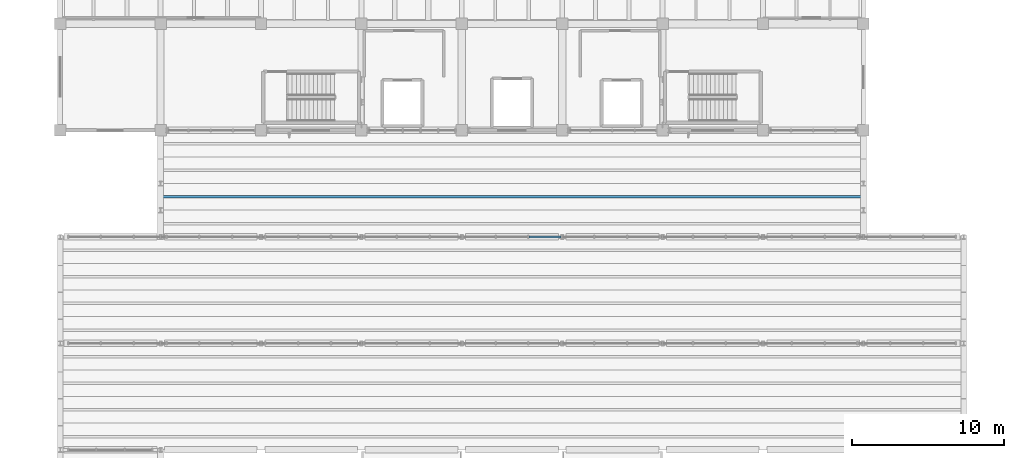
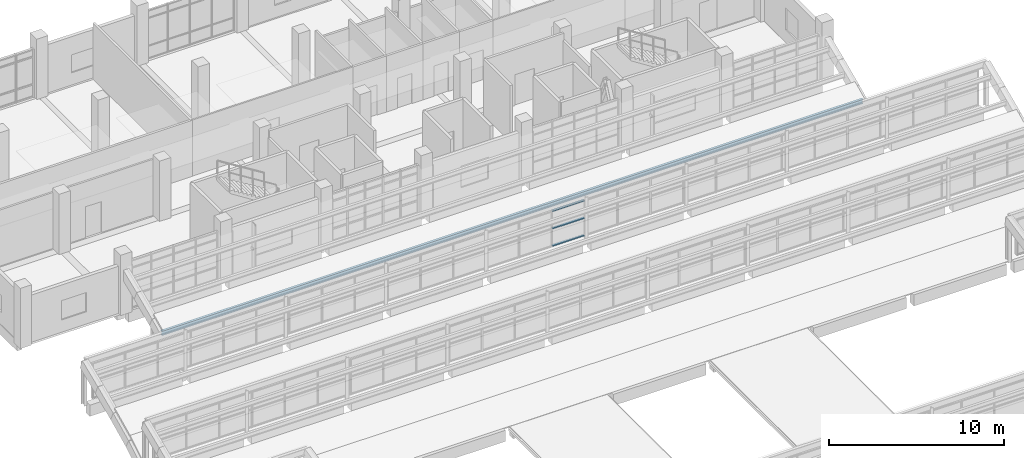
# One storey, part 53 of 92: 4 members, 1 element without a shape of its own.
"""IFC4 building model written with IfcOpenShell, lengths in metres."""

from ifc_helpers import new_model, si_unit, direction, frame, origin, origin_2d, place, context, subcontext, project, spatial, rectangle, i_section, extrude, material, material_profile, profile_set, type_object, element, aggregate, save


model = new_model("IFC4")

# Units and contexts
model_context = context("Model", 3, precision=1e-05, world=origin(), true_north=direction((0.0, 1.0)))
body_context = subcontext(model_context, "Body", "Model", "MODEL_VIEW")
ifc_project = project(units=[si_unit("LENGTHUNIT", "METRE"), si_unit("AREAUNIT", "SQUARE_METRE"), si_unit("VOLUMEUNIT", "CUBIC_METRE"), si_unit("PLANEANGLEUNIT", "RADIAN"), si_unit("MASSUNIT", "GRAM", prefix="KILO")], contexts=[model_context])

# Site, building, storey
site_placement = place(None, origin())
site = spatial("IfcSite", under=ifc_project, at=site_placement, CompositionType="ELEMENT")
building_placement = place(site_placement, origin())
building = spatial("IfcBuilding", under=site, at=building_placement, Name="Ciguamira Faculty of Natural Sciences", CompositionType="ELEMENT")
storey_placement = place(building_placement, frame((0.0, 0.0, 16.800048828125)))
storey = spatial("IfcBuildingStorey", under=building, at=storey_placement, Name="L04", CompositionType="ELEMENT", Elevation=16.800048828125)

# Curtain wall, members
ifc_material_1 = material(Name="Anodized aluminium curtain wall", Category="aluminium")
curtain_wall_type = type_object("IfcCurtainWallType", Name="CurtainWall_CW-08", PredefinedType="USERDEFINED", material=ifc_material_1)
curtain_wall_placement = place(storey_placement, origin())
curtain_wall = element("IfcCurtainWall", 1, at=curtain_wall_placement, inside=storey, type_object=curtain_wall_type, Name="V4 north-light wave 6 clerestory glazing 1", ObjectType="UNITISED CURTAIN WALL", PredefinedType="USERDEFINED")
ifc_material_2 = material(Name="Anodized aluminium transom", Category="aluminium")
ifc_material_profile_1 = material_profile(ifc_material_2, rectangle(XDim=0.070068359375, YDim=0.139892578125, at=origin_2d()), Name="ALU-TRN-70X140")
ifc_profile_set_1 = profile_set([ifc_material_profile_1], Name="Anodized aluminium transom")
member_type_1 = type_object("IfcMemberType", Name="CWTransom_CWT-02", PredefinedType="USERDEFINED", material=ifc_profile_set_1)
member_1_placement = place(storey_placement, frame((88.116455078125, 87.0, 0.284912109375), z_axis=(1.0, 0.0, 0.0), x_axis=(0.0, 0.0, 1.0)))
member_1 = element("IfcMember", 2, at=member_1_placement, type_object=member_type_1, Name="CW-08 transom 15.1", ObjectType="TRANSOM", PredefinedType="USERDEFINED", context=body_context, shape_type="SweptSolid", body=[
    extrude(rectangle(XDim=0.070068359375, YDim=0.139892578125, at=origin_2d()), origin(), (0.0, 0.0, 1.0), 2.093017578125),
])
member_2_placement = place(storey_placement, frame((88.116455078125, 87.0, 1.5), z_axis=(1.0, 0.0, 0.0), x_axis=(0.0, 0.0, 1.0)))
member_2 = element("IfcMember", 3, at=member_2_placement, type_object=member_type_1, Name="CW-08 transom 15.2", ObjectType="TRANSOM", PredefinedType="USERDEFINED", context=body_context, shape_type="SweptSolid", body=[
    extrude(rectangle(XDim=0.070068359375, YDim=0.139892578125, at=origin_2d()), origin(), (0.0, 0.0, 1.0), 2.093017578125),
])
member_3_placement = place(storey_placement, frame((88.116455078125, 87.0, 2.71484375), z_axis=(1.0, 0.0, 0.0), x_axis=(0.0, 0.0, 1.0)))
member_3 = element("IfcMember", 4, at=member_3_placement, type_object=member_type_1, Name="CW-08 transom 15.3", ObjectType="TRANSOM", PredefinedType="USERDEFINED", context=body_context, shape_type="SweptSolid", body=[
    extrude(rectangle(XDim=0.070068359375, YDim=0.139892578125, at=origin_2d()), origin(), (0.0, 0.0, 1.0), 2.093017578125),
])
aggregate(curtain_wall, [member_1, member_2, member_3])

# Member
ifc_material_3 = material(Name="Steel ASTM A992 Grade 50", Category="steel")
ifc_material_profile_2 = material_profile(ifc_material_3, i_section(OverallWidth=0.164794921875, OverallDepth=0.309814453125, WebThickness=0.005859375, FlangeThickness=0.009765625, at=origin_2d()), Name="W12X26")
ifc_profile_set_2 = profile_set([ifc_material_profile_2], Name="Steel ASTM A992 Grade 50")
member_type_2 = type_object("IfcMemberType", Name="SteelMember_PR-02_W12X26", PredefinedType="PURLIN", material=ifc_profile_set_2)
member_4_placement = place(storey_placement, frame((63.89990234375, 89.625, 1.091552734375), z_axis=(1.0, 0.0, 0.0), x_axis=(0.0, 1.0, 0.0)))
element("IfcMember", 5, at=member_4_placement, inside=storey, type_object=member_type_2, Name="V4 wave roof steel purlin 7-1-2", PredefinedType="PURLIN", context=body_context, shape_type="SweptSolid", body=[
    extrude(i_section(OverallWidth=0.164794921875, OverallDepth=0.309814453125, WebThickness=0.005859375, FlangeThickness=0.009765625, at=origin_2d()), origin(), (0.0, 0.0, 1.0), 46.2001953125),
])

save(model, "model.ifc")
